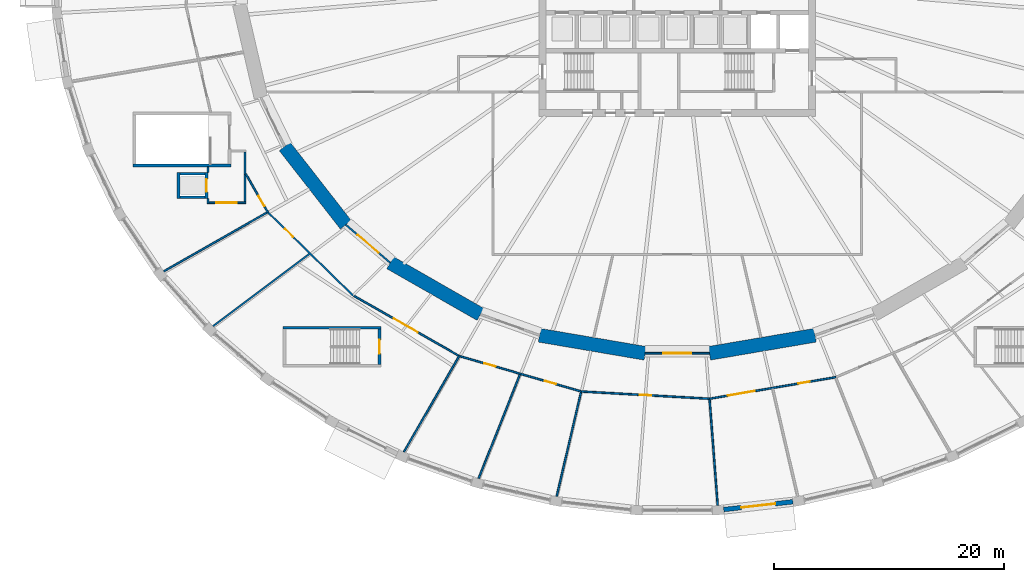
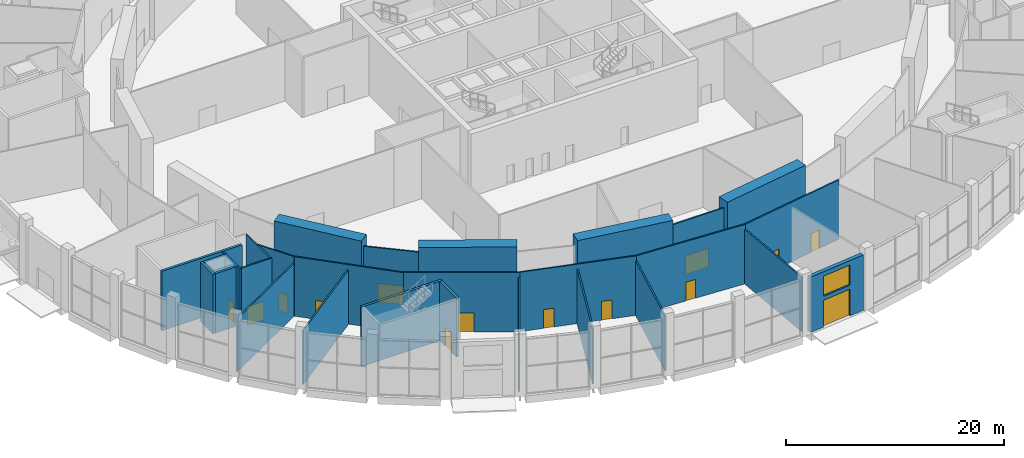
# One storey, part 19 of 33: 30 walls, 14 doors, 1 window, 15 openings.
"""IFC4 building model written with IfcOpenShell, lengths in metres."""

from ifc_helpers import new_model, si_unit, direction, frame, frame_2d, origin, place, context, subcontext, project, spatial, polyline, rectangle, outline, extrude, material, layer, layer_set, type_object, element, fill, save


model = new_model("IFC4")

# Units and contexts
model_context = context("Model", 3, precision=1e-05, world=origin(), true_north=direction((0.0, 1.0)))
body_context = subcontext(model_context, "Body", "Model", "MODEL_VIEW")
ifc_project = project(units=[si_unit("LENGTHUNIT", "METRE"), si_unit("AREAUNIT", "SQUARE_METRE"), si_unit("VOLUMEUNIT", "CUBIC_METRE"), si_unit("PLANEANGLEUNIT", "RADIAN"), si_unit("MASSUNIT", "GRAM", prefix="KILO")], contexts=[model_context])

# Site, building, storey
site_placement = place(None, origin())
site = spatial("IfcSite", under=ifc_project, at=site_placement, CompositionType="ELEMENT")
building_placement = place(site_placement, origin())
building = spatial("IfcBuilding", under=site, at=building_placement, Name="Halqa Exchange Tower", CompositionType="ELEMENT")
storey_placement = place(building_placement, origin())
storey = spatial("IfcBuildingStorey", under=building, at=storey_placement, Name="L00", CompositionType="ELEMENT", Elevation=0.0)

# Walls
ifc_material_1 = material(Name="Fire-rated gypsum board")
ifc_layer_1 = layer(ifc_material_1, 0.14990234375)
ifc_layer_set_1 = layer_set([ifc_layer_1], Name="Fire-rated gypsum board")
wall_type_1 = type_object("IfcWallType", Name="Fire partition EI 60 150", PredefinedType="PARTITIONING", material=ifc_layer_set_1)
wall_1_placement = place(storey_placement, frame((-44.6015625, -25.455810546875, 0.0), z_axis=(0.0, 0.0, 1.0), x_axis=(0.868872232998, 0.495036405455, 0.0)))
element("IfcWall", 1, at=wall_1_placement, inside=storey, type_object=wall_type_1, Name="L00-PWL-002", PredefinedType="PARTITIONING", context=body_context, shape_type="SweptSolid", body=[
    extrude(outline(polyline([(0.010986328125, -0.074951171875), (10.47265625, -0.074951171875), (10.47265625, 0.074951171875), (-0.010986328125, 0.074951171875), (0.010986328125, -0.074951171875)])), origin(), (0.0, 0.0, 1.0), 5.89697265625),
])
wall_2_placement = place(storey_placement, frame((-40.75, -19.574951171875, 0.0), z_axis=(0.0, 0.0, 1.0), x_axis=(0.0, 1.0, 0.0)))
element("IfcWall", 2, at=wall_2_placement, inside=storey, type_object=wall_type_1, Name="L00-PWL-007", PredefinedType="PARTITIONING", context=body_context, shape_type="SweptSolid", body=[
    extrude(rectangle(XDim=0.425048828125, YDim=0.14990234375, at=frame_2d((0.21240234375, 0.0))), origin(), (0.0, 0.0, 1.0), 6.64990234375),
])
wall_3_placement = place(storey_placement, frame((-40.75, -16.85009765625, 0.0), z_axis=(0.0, 0.0, 1.0), x_axis=(0.0, 1.0, 0.0)))
element("IfcWall", 3, at=wall_3_placement, inside=storey, type_object=wall_type_1, Name="L00-PWL-008", PredefinedType="PARTITIONING", context=body_context, shape_type="SweptSolid", body=[
    extrude(rectangle(XDim=0.47607421875, YDim=0.14990234375, at=frame_2d((0.238037109375, 0.0))), origin(), (0.0, 0.0, 1.0), 6.64990234375),
])

# Wall, opening, door
wall_4_placement = place(storey_placement, frame((-37.47509765625, -19.5, 0.0), z_axis=(0.0, 0.0, 1.0), x_axis=(-1.0, 0.0, 0.0)))
wall_4 = element("IfcWall", 4, at=wall_4_placement, inside=storey, type_object=wall_type_1, Name="L00-PWL-015", PredefinedType="PARTITIONING", context=body_context, shape_type="SweptSolid", body=[
    extrude(rectangle(XDim=3.199951171875, YDim=0.14990234375, at=frame_2d((1.60009765625, 0.0))), origin(), (0.0, 0.0, 1.0), 6.64990234375),
])
opening_1_placement = place(wall_4_placement, frame((0.77490234375, 0.0, 0.0)))
opening_1 = element("IfcOpeningElement", 5, at=opening_1_placement, cuts=wall_4, Name="Opening L00-66", PredefinedType="OPENING", context=body_context, shape_type="SweptSolid", body=[
    extrude(rectangle(XDim=1.800048828125, YDim=2.10009765625, at=frame_2d((0.89990234375, 1.050048828125))), frame((0.0, 0.0869140625, 0.0), z_axis=(0.0, -1.0, 0.0), x_axis=(1.0, 0.0, 0.0)), (0.0, 0.0, 1.0), 0.173828125),
])
ifc_material_2 = material(Name="Steel fire door leaf", Category="steel")
door_type_1 = type_object("IfcDoorType", Name="Fire door FD30S double 1800 x 2100", OperationType="DOUBLE_DOOR_SINGLE_SWING", PredefinedType="DOOR", material=ifc_material_2)
door_1_placement = place(opening_1_placement, origin())
door_1 = element("IfcDoor", 6, at=door_1_placement, inside=storey, type_object=door_type_1, Name="L00-IDR-066", OperationType="DOUBLE_DOOR_SINGLE_SWING", OverallHeight=2.10009765625, OverallWidth=1.800048828125, PredefinedType="DOOR", context=body_context, shape_type="SweptSolid", body=[
    extrude(rectangle(XDim=1.800048828125, YDim=2.10009765625, at=frame_2d((0.89990234375, 1.050048828125))), frame((0.0, 0.02490234375, 0.0), z_axis=(0.0, -1.0, 0.0), x_axis=(1.0, 0.0, 0.0)), (0.0, 0.0, 1.0), 0.050048828125),
])
fill(opening_1, door_1)

# Wall
wall_5_placement = place(storey_placement, frame((-37.550048828125, -19.426025390625, 0.0), z_axis=(0.0, 0.0, 1.0), x_axis=(0.0, 1.0, 0.0)))
element("IfcWall", 7, at=wall_5_placement, inside=storey, type_object=wall_type_1, Name="L00-PWL-016", PredefinedType="PARTITIONING", context=body_context, shape_type="SweptSolid", body=[
    extrude(rectangle(XDim=4.35107421875, YDim=0.14990234375, at=frame_2d((2.175537109375, 0.0))), origin(), (0.0, 0.0, 1.0), 6.64990234375),
])

# Wall, opening, door
wall_6_placement = place(storey_placement, frame((-35.530517578125, -20.37841796875, 0.0), z_axis=(0.0, 0.0, 1.0), x_axis=(-0.498840465352, 0.866693827212, 0.0)))
wall_6 = element("IfcWall", 8, at=wall_6_placement, inside=storey, type_object=wall_type_1, Name="L00-PWL-022", PredefinedType="PARTITIONING", context=body_context, shape_type="SweptSolid", body=[
    extrude(rectangle(XDim=3.899169921875, YDim=0.14990234375, at=frame_2d((1.94970703125, 0.0))), origin(), (0.0, 0.0, 1.0), 6.64990234375),
])
opening_2_placement = place(wall_6_placement, frame((0.678955078125, 0.0, 0.0)))
opening_2 = element("IfcOpeningElement", 9, at=opening_2_placement, cuts=wall_6, Name="Opening L00-50", PredefinedType="OPENING", context=body_context, shape_type="SweptSolid", body=[
    extrude(rectangle(XDim=1.0, YDim=2.10009765625, at=frame_2d((0.5, 1.050048828125))), frame((0.0, 0.0869140625, 0.0), z_axis=(0.0, -1.0, 0.0), x_axis=(1.0, 0.0, 0.0)), (0.0, 0.0, 1.0), 0.173828125),
])
door_type_2 = type_object("IfcDoorType", Name="Fire door FD30S 1000 x 2100", OperationType="SINGLE_SWING_LEFT", PredefinedType="DOOR", material=ifc_material_2)
door_2_placement = place(opening_2_placement, frame((1.0, 0.0, 0.0), z_axis=(0.0, 0.0, 1.0), x_axis=(-1.0, 0.0, 0.0)))
door_2 = element("IfcDoor", 10, at=door_2_placement, inside=storey, type_object=door_type_2, Name="L00-IDR-050", OperationType="SINGLE_SWING_LEFT", OverallHeight=2.10009765625, OverallWidth=1.0, PredefinedType="DOOR", context=body_context, shape_type="SweptSolid", body=[
    extrude(rectangle(XDim=1.0, YDim=2.10009765625, at=frame_2d((0.5, 1.050048828125))), frame((0.0, 0.02490234375, 0.0), z_axis=(0.0, -1.0, 0.0), x_axis=(1.0, 0.0, 0.0)), (0.0, 0.0, 1.0), 0.050048828125),
])
fill(opening_2, door_2)

wall_7_placement = place(storey_placement, frame((-35.51416015625, -20.364501953125, 0.0), z_axis=(0.0, 0.0, 1.0), x_axis=(0.714835312925, -0.699292839514, 0.0)))
wall_7 = element("IfcWall", 11, at=wall_7_placement, inside=storey, type_object=wall_type_1, Name="L00-PWL-023", PredefinedType="PARTITIONING", context=body_context, shape_type="SweptSolid", body=[
    extrude(rectangle(XDim=10.304443359375, YDim=0.14990234375, at=frame_2d((5.15234375, 0.0))), origin(), (0.0, 0.0, 1.0), 6.64990234375),
])
opening_3_placement = place(wall_7_placement, frame((2.00390625, 0.0, 0.0)))
opening_3 = element("IfcOpeningElement", 12, at=opening_3_placement, cuts=wall_7, Name="Opening L00-51", PredefinedType="OPENING", context=body_context, shape_type="SweptSolid", body=[
    extrude(rectangle(XDim=1.0, YDim=2.10009765625, at=frame_2d((0.5, 1.050048828125))), frame((0.0, 0.0869140625, 0.0), z_axis=(0.0, -1.0, 0.0), x_axis=(1.0, 0.0, 0.0)), (0.0, 0.0, 1.0), 0.173828125),
])
door_3_placement = place(opening_3_placement, frame((1.0, 0.0, 0.0), z_axis=(0.0, 0.0, 1.0), x_axis=(-1.0, 0.0, 0.0)))
door_3 = element("IfcDoor", 13, at=door_3_placement, inside=storey, type_object=door_type_2, Name="L00-IDR-051", OperationType="SINGLE_SWING_LEFT", OverallHeight=2.10009765625, OverallWidth=1.0, PredefinedType="DOOR", context=body_context, shape_type="SweptSolid", body=[
    extrude(rectangle(XDim=1.0, YDim=2.10009765625, at=frame_2d((0.5, 1.050048828125))), frame((0.0, 0.02490234375, 0.0), z_axis=(0.0, -1.0, 0.0), x_axis=(1.0, 0.0, 0.0)), (0.0, 0.0, 1.0), 0.050048828125),
])
fill(opening_3, door_3)

# Wall
wall_8_placement = place(storey_placement, frame((-31.9599609375, -23.945068359375, 0.0), z_axis=(0.0, 0.0, 1.0), x_axis=(-0.800117504973, -0.599843294732, 0.0)))
element("IfcWall", 14, at=wall_8_placement, inside=storey, type_object=wall_type_1, Name="L00-PWL-027", PredefinedType="PARTITIONING", context=body_context, shape_type="SweptSolid", body=[
    extrude(outline(polyline([(0.011474609375, -0.074951171875), (10.481689453125, -0.074951171875), (10.458740234375, 0.074951171875), (-0.011474609375, 0.074951171875), (0.011474609375, -0.074951171875)])), origin(), (0.0, 0.0, 1.0), 6.050048828125),
])

# Wall, opening, door
wall_9_placement = place(storey_placement, frame((-24.931884765625, -24.70849609375, 0.0), z_axis=(0.0, 0.0, 1.0), x_axis=(-0.760084552743, 0.649824185978, 0.0)))
wall_9 = element("IfcWall", 15, at=wall_9_placement, inside=storey, type_object=wall_type_1, Name="L00-PWL-029", PredefinedType="PARTITIONING", context=body_context, shape_type="SweptSolid", body=[
    extrude(outline(polyline([(0.01416015625, -0.074951171875), (5.0595703125, -0.074951171875), (5.09033203125, 0.074951171875), (-0.01416015625, 0.074951171875), (0.01416015625, -0.074951171875)])), origin(), (0.0, 0.0, 1.0), 6.10009765625),
])
opening_4_placement = place(wall_9_placement, frame((1.336669921875, 0.0, 0.0)))
opening_4 = element("IfcOpeningElement", 16, at=opening_4_placement, cuts=wall_9, Name="Opening L00-29", PredefinedType="OPENING", context=body_context, shape_type="SweptSolid", body=[
    extrude(rectangle(XDim=2.39990234375, YDim=2.10009765625, at=frame_2d((1.199951171875, 1.050048828125))), frame((0.0, 0.0869140625, 0.0), z_axis=(0.0, -1.0, 0.0), x_axis=(1.0, 0.0, 0.0)), (0.0, 0.0, 1.0), 0.173828125),
])
door_type_3 = type_object("IfcDoorType", Name="Fire door FD60S double 2400 x 2100", OperationType="DOUBLE_DOOR_SINGLE_SWING", PredefinedType="DOOR", material=ifc_material_2)
door_4_placement = place(opening_4_placement, frame((2.39990234375, 0.0, 0.0), z_axis=(0.0, 0.0, 1.0), x_axis=(-1.0, 0.0, 0.0)))
door_4 = element("IfcDoor", 17, at=door_4_placement, inside=storey, type_object=door_type_3, Name="L00-IDR-029", OperationType="DOUBLE_DOOR_SINGLE_SWING", OverallHeight=2.10009765625, OverallWidth=2.39990234375, PredefinedType="DOOR", context=body_context, shape_type="SweptSolid", body=[
    extrude(rectangle(XDim=2.39990234375, YDim=2.10009765625, at=frame_2d((1.199951171875, 1.050048828125))), frame((0.0, 0.02490234375, 0.0), z_axis=(0.0, -1.0, 0.0), x_axis=(1.0, 0.0, 0.0)), (0.0, 0.0, 1.0), 0.050048828125),
])
fill(opening_4, door_4)

# Wall
wall_10_placement = place(storey_placement, frame((-23.747802734375, -41.14892578125, 0.0), z_axis=(0.0, 0.0, 1.0), x_axis=(0.499487181866, 0.866321277097, 0.0)))
element("IfcWall", 18, at=wall_10_placement, inside=storey, type_object=wall_type_1, Name="L00-PWL-031", PredefinedType="PARTITIONING", context=body_context, shape_type="SweptSolid", body=[
    extrude(outline(polyline([(0.00927734375, -0.074951171875), (9.702880859375, -0.074951171875), (9.702880859375, 0.074951171875), (-0.00927734375, 0.074951171875), (0.00927734375, -0.074951171875)])), origin(), (0.0, 0.0, 1.0), 6.050048828125),
])

# Wall, opening, door
wall_11_placement = place(storey_placement, frame((-18.87060546875, -32.849609375, 0.0), z_axis=(0.0, 0.0, 1.0), x_axis=(-0.867964173254, 0.496626815575, 0.0)))
wall_11 = element("IfcWall", 19, at=wall_11_placement, inside=storey, type_object=wall_type_1, Name="L00-PWL-038", PredefinedType="PARTITIONING", context=body_context, shape_type="SweptSolid", body=[
    extrude(rectangle(XDim=10.668701171875, YDim=0.14990234375, at=frame_2d((5.33447265625, 0.0))), origin(), (0.0, 0.0, 1.0), 6.64990234375),
])
opening_5_placement = place(wall_11_placement, frame((4.225830078125, 0.0, 0.0)))
opening_5 = element("IfcOpeningElement", 20, at=opening_5_placement, cuts=wall_11, Name="Opening L00-52", PredefinedType="OPENING", context=body_context, shape_type="SweptSolid", body=[
    extrude(rectangle(XDim=2.39990234375, YDim=2.10009765625, at=frame_2d((1.199951171875, 1.050048828125))), frame((0.0, 0.0869140625, 0.0), z_axis=(0.0, -1.0, 0.0), x_axis=(1.0, 0.0, 0.0)), (0.0, 0.0, 1.0), 0.173828125),
])
door_5_placement = place(opening_5_placement, frame((2.39990234375, 0.0, 0.0), z_axis=(0.0, 0.0, 1.0), x_axis=(-1.0, 0.0, 0.0)))
door_5 = element("IfcDoor", 21, at=door_5_placement, inside=storey, type_object=door_type_3, Name="L00-IDR-052", OperationType="DOUBLE_DOOR_SINGLE_SWING", OverallHeight=2.10009765625, OverallWidth=2.39990234375, PredefinedType="DOOR", context=body_context, shape_type="SweptSolid", body=[
    extrude(rectangle(XDim=2.39990234375, YDim=2.10009765625, at=frame_2d((1.199951171875, 1.050048828125))), frame((0.0, 0.02490234375, 0.0), z_axis=(0.0, -1.0, 0.0), x_axis=(1.0, 0.0, 0.0)), (0.0, 0.0, 1.0), 0.050048828125),
])
fill(opening_5, door_5)

# Wall, openings, doors
wall_12_placement = place(storey_placement, frame((-18.865966796875, -32.83154296875, 0.0), z_axis=(0.0, 0.0, 1.0), x_axis=(0.960211143752, -0.279275060495, 0.0)))
wall_12 = element("IfcWall", 22, at=wall_12_placement, inside=storey, type_object=wall_type_1, Name="L00-PWL-039", PredefinedType="PARTITIONING", context=body_context, shape_type="SweptSolid", body=[
    extrude(rectangle(XDim=10.967529296875, YDim=0.14990234375, at=frame_2d((5.48388671875, 0.0))), origin(), (0.0, 0.0, 1.0), 6.64990234375),
])
opening_6_placement = place(wall_12_placement, frame((2.197509765625, 0.0, 0.0)))
opening_6 = element("IfcOpeningElement", 23, at=opening_6_placement, cuts=wall_12, Name="Opening L00-53", PredefinedType="OPENING", context=body_context, shape_type="SweptSolid", body=[
    extrude(rectangle(XDim=1.0, YDim=2.10009765625, at=frame_2d((0.5, 1.050048828125))), frame((0.0, 0.0869140625, 0.0), z_axis=(0.0, -1.0, 0.0), x_axis=(1.0, 0.0, 0.0)), (0.0, 0.0, 1.0), 0.173828125),
])
opening_7_placement = place(wall_12_placement, frame((7.681640625, 0.0, 0.0)))
opening_7 = element("IfcOpeningElement", 24, at=opening_7_placement, cuts=wall_12, Name="Opening L00-54", PredefinedType="OPENING", context=body_context, shape_type="SweptSolid", body=[
    extrude(rectangle(XDim=1.0, YDim=2.10009765625, at=frame_2d((0.5, 1.050048828125))), frame((0.0, 0.0869140625, 0.0), z_axis=(0.0, -1.0, 0.0), x_axis=(1.0, 0.0, 0.0)), (0.0, 0.0, 1.0), 0.173828125),
])
door_6_placement = place(opening_6_placement, frame((1.0, 0.0, 0.0), z_axis=(0.0, 0.0, 1.0), x_axis=(-1.0, 0.0, 0.0)))
door_6 = element("IfcDoor", 25, at=door_6_placement, inside=storey, type_object=door_type_2, Name="L00-IDR-053", OperationType="SINGLE_SWING_LEFT", OverallHeight=2.10009765625, OverallWidth=1.0, PredefinedType="DOOR", context=body_context, shape_type="SweptSolid", body=[
    extrude(rectangle(XDim=1.0, YDim=2.10009765625, at=frame_2d((0.5, 1.050048828125))), frame((0.0, 0.02490234375, 0.0), z_axis=(0.0, -1.0, 0.0), x_axis=(1.0, 0.0, 0.0)), (0.0, 0.0, 1.0), 0.050048828125),
])
fill(opening_6, door_6)
door_7_placement = place(opening_7_placement, frame((1.0, 0.0, 0.0), z_axis=(0.0, 0.0, 1.0), x_axis=(-1.0, 0.0, 0.0)))
door_7 = element("IfcDoor", 26, at=door_7_placement, inside=storey, type_object=door_type_2, Name="L00-IDR-054", OperationType="SINGLE_SWING_RIGHT", OverallHeight=2.10009765625, OverallWidth=1.0, PredefinedType="DOOR", context=body_context, shape_type="SweptSolid", body=[
    extrude(rectangle(XDim=1.0, YDim=2.10009765625, at=frame_2d((0.5, 1.050048828125))), frame((0.0, 0.02490234375, 0.0), z_axis=(0.0, -1.0, 0.0), x_axis=(1.0, 0.0, 0.0)), (0.0, 0.0, 1.0), 0.050048828125),
])
fill(opening_7, door_7)

# Walls
wall_13_placement = place(storey_placement, frame((-13.668212890625, -34.420654296875, 0.0), z_axis=(0.0, 0.0, 1.0), x_axis=(-0.369116523782, -0.929383124374, 0.0)))
element("IfcWall", 27, at=wall_13_placement, inside=storey, type_object=wall_type_1, Name="L00-PWL-047", PredefinedType="PARTITIONING", context=body_context, shape_type="SweptSolid", body=[
    extrude(outline(polyline([(0.007080078125, -0.074951171875), (9.729248046875, -0.074951171875), (9.715087890625, 0.074951171875), (-0.007080078125, 0.074951171875), (0.007080078125, -0.074951171875)])), origin(), (0.0, 0.0, 1.0), 6.10009765625),
])
wall_14_placement = place(storey_placement, frame((-8.366943359375, -35.962890625, 0.0), z_axis=(0.0, 0.0, 1.0), x_axis=(-0.226936502248, -0.973909556349, 0.0)))
element("IfcWall", 28, at=wall_14_placement, inside=storey, type_object=wall_type_1, Name="L00-PWL-050", PredefinedType="PARTITIONING", context=body_context, shape_type="SweptSolid", body=[
    extrude(outline(polyline([(0.0, -0.074951171875), (9.29931640625, -0.074951171875), (9.29052734375, 0.074951171875), (0.0, 0.074951171875), (0.0, -0.074951171875)])), origin(), (0.0, 0.0, 1.0), 6.10009765625),
])

# Wall, opening, door
wall_15_placement = place(storey_placement, frame((2.7880859375, -32.570068359375, 0.0), z_axis=(0.0, 0.0, 1.0), x_axis=(-1.0, 0.0, 0.0)))
wall_15 = element("IfcWall", 29, at=wall_15_placement, inside=storey, type_object=wall_type_1, Name="L00-PWL-059", PredefinedType="PARTITIONING", context=body_context, shape_type="SweptSolid", body=[
    extrude(outline(polyline([(0.0126953125, -0.074951171875), (5.5634765625, -0.074951171875), (5.5888671875, 0.074951171875), (-0.0126953125, 0.074951171875), (0.0126953125, -0.074951171875)])), origin(), (0.0, 0.0, 1.0), 6.10009765625),
])
opening_8_placement = place(wall_15_placement, frame((1.587890625, 0.0, 0.0)))
opening_8 = element("IfcOpeningElement", 30, at=opening_8_placement, cuts=wall_15, Name="Opening L00-34", PredefinedType="OPENING", context=body_context, shape_type="SweptSolid", body=[
    extrude(rectangle(XDim=2.39990234375, YDim=2.10009765625, at=frame_2d((1.199951171875, 1.050048828125))), frame((0.0, 0.0869140625, 0.0), z_axis=(0.0, -1.0, 0.0), x_axis=(1.0, 0.0, 0.0)), (0.0, 0.0, 1.0), 0.173828125),
])
door_8_placement = place(opening_8_placement, frame((2.39990234375, 0.0, 0.0), z_axis=(0.0, 0.0, 1.0), x_axis=(-1.0, 0.0, 0.0)))
door_8 = element("IfcDoor", 31, at=door_8_placement, inside=storey, type_object=door_type_3, Name="L00-IDR-034", OperationType="DOUBLE_DOOR_SINGLE_SWING", OverallHeight=2.10009765625, OverallWidth=2.39990234375, PredefinedType="DOOR", context=body_context, shape_type="SweptSolid", body=[
    extrude(rectangle(XDim=2.39990234375, YDim=2.10009765625, at=frame_2d((1.199951171875, 1.050048828125))), frame((0.0, 0.02490234375, 0.0), z_axis=(0.0, -1.0, 0.0), x_axis=(1.0, 0.0, 0.0)), (0.0, 0.0, 1.0), 0.050048828125),
])
fill(opening_8, door_8)

wall_16_placement = place(storey_placement, frame((2.81591796875, -36.52099609375, 0.0), z_axis=(0.0, 0.0, 1.0), x_axis=(-0.998407170401, 0.056419164225, 0.0)))
wall_16 = element("IfcWall", 32, at=wall_16_placement, inside=storey, type_object=wall_type_1, Name="L00-PWL-060", PredefinedType="PARTITIONING", context=body_context, shape_type="SweptSolid", body=[
    extrude(rectangle(XDim=11.168701171875, YDim=0.14990234375, at=frame_2d((5.58447265625, 0.0))), origin(), (0.0, 0.0, 1.0), 6.64990234375),
])
opening_9_placement = place(wall_16_placement, frame((5.099853515625, 0.0, 0.0)))
opening_9 = element("IfcOpeningElement", 33, at=opening_9_placement, cuts=wall_16, Name="Opening L00-55", PredefinedType="OPENING", context=body_context, shape_type="SweptSolid", body=[
    extrude(rectangle(XDim=1.0, YDim=2.10009765625, at=frame_2d((0.5, 1.050048828125))), frame((0.0, 0.0869140625, 0.0), z_axis=(0.0, -1.0, 0.0), x_axis=(1.0, 0.0, 0.0)), (0.0, 0.0, 1.0), 0.173828125),
])
door_9_placement = place(opening_9_placement, origin())
door_9 = element("IfcDoor", 34, at=door_9_placement, inside=storey, type_object=door_type_2, Name="L00-IDR-055", OperationType="SINGLE_SWING_LEFT", OverallHeight=2.10009765625, OverallWidth=1.0, PredefinedType="DOOR", context=body_context, shape_type="SweptSolid", body=[
    extrude(rectangle(XDim=1.0, YDim=2.10009765625, at=frame_2d((0.5, 1.050048828125))), frame((0.0, 0.02490234375, 0.0), z_axis=(0.0, -1.0, 0.0), x_axis=(1.0, 0.0, 0.0)), (0.0, 0.0, 1.0), 0.050048828125),
])
fill(opening_9, door_9)

# Wall
wall_17_placement = place(storey_placement, frame((2.8056640625, -36.5947265625, 0.0), z_axis=(0.0, 0.0, 1.0), x_axis=(0.076140518104, -0.997097097329, 0.0)))
element("IfcWall", 35, at=wall_17_placement, inside=storey, type_object=wall_type_1, Name="L00-PWL-061", PredefinedType="PARTITIONING", context=body_context, shape_type="SweptSolid", body=[
    extrude(outline(polyline([(0.0, -0.074951171875), (9.233154296875, -0.074951171875), (9.236083984375, 0.074951171875), (0.0, 0.074951171875), (0.0, -0.074951171875)])), origin(), (0.0, 0.0, 1.0), 6.10009765625),
])

# Wall, openings, doors
wall_18_placement = place(storey_placement, frame((2.814697265625, -36.517578125, 0.0), z_axis=(0.0, 0.0, 1.0), x_axis=(0.9857548052, 0.168188774967, 0.0)))
wall_18 = element("IfcWall", 36, at=wall_18_placement, inside=storey, type_object=wall_type_1, Name="L00-PWL-062", PredefinedType="PARTITIONING", context=body_context, shape_type="SweptSolid", body=[
    extrude(rectangle(XDim=11.1220703125, YDim=0.14990234375, at=frame_2d((5.56103515625, 0.0))), origin(), (0.0, 0.0, 1.0), 6.64990234375),
])
opening_10_placement = place(wall_18_placement, frame((1.580078125, 0.0, 0.0)))
opening_10 = element("IfcOpeningElement", 37, at=opening_10_placement, cuts=wall_18, Name="Opening L00-56", PredefinedType="OPENING", context=body_context, shape_type="SweptSolid", body=[
    extrude(rectangle(XDim=2.39990234375, YDim=2.10009765625, at=frame_2d((1.199951171875, 1.050048828125))), frame((0.0, 0.0869140625, 0.0), z_axis=(0.0, -1.0, 0.0), x_axis=(1.0, 0.0, 0.0)), (0.0, 0.0, 1.0), 0.173828125),
])
opening_11_placement = place(wall_18_placement, frame((7.809326171875, 0.0, 0.0)))
opening_11 = element("IfcOpeningElement", 38, at=opening_11_placement, cuts=wall_18, Name="Opening L00-57", PredefinedType="OPENING", context=body_context, shape_type="SweptSolid", body=[
    extrude(rectangle(XDim=1.0, YDim=2.10009765625, at=frame_2d((0.5, 1.050048828125))), frame((0.0, 0.0869140625, 0.0), z_axis=(0.0, -1.0, 0.0), x_axis=(1.0, 0.0, 0.0)), (0.0, 0.0, 1.0), 0.173828125),
])
door_10_placement = place(opening_11_placement, frame((1.0, 0.0, 0.0), z_axis=(0.0, 0.0, 1.0), x_axis=(-1.0, 0.0, 0.0)))
door_10 = element("IfcDoor", 39, at=door_10_placement, inside=storey, type_object=door_type_2, Name="L00-IDR-057", OperationType="SINGLE_SWING_RIGHT", OverallHeight=2.10009765625, OverallWidth=1.0, PredefinedType="DOOR", context=body_context, shape_type="SweptSolid", body=[
    extrude(rectangle(XDim=1.0, YDim=2.10009765625, at=frame_2d((0.5, 1.050048828125))), frame((0.0, 0.02490234375, 0.0), z_axis=(0.0, -1.0, 0.0), x_axis=(1.0, 0.0, 0.0)), (0.0, 0.0, 1.0), 0.050048828125),
])
fill(opening_11, door_10)
door_11_placement = place(opening_10_placement, frame((2.39990234375, 0.0, 0.0), z_axis=(0.0, 0.0, 1.0), x_axis=(-1.0, 0.0, 0.0)))
door_11 = element("IfcDoor", 40, at=door_11_placement, inside=storey, type_object=door_type_3, Name="L00-IDR-056", OperationType="DOUBLE_DOOR_SINGLE_SWING", OverallHeight=2.10009765625, OverallWidth=2.39990234375, PredefinedType="DOOR", context=body_context, shape_type="SweptSolid", body=[
    extrude(rectangle(XDim=2.39990234375, YDim=2.10009765625, at=frame_2d((1.199951171875, 1.050048828125))), frame((0.0, 0.02490234375, 0.0), z_axis=(0.0, -1.0, 0.0), x_axis=(1.0, 0.0, 0.0)), (0.0, 0.0, 1.0), 0.050048828125),
])
fill(opening_10, door_11)

# Wall
ifc_material_3 = material(Name="Gypsum board")
ifc_layer_2 = layer(ifc_material_3, 0.25)
ifc_layer_set_2 = layer_set([ifc_layer_2], Name="Gypsum board")
wall_type_2 = type_object("IfcWallType", Name="Penthouse riser wall 250 gypsum", PredefinedType="PARTITIONING", material=ifc_layer_set_2)
wall_19_placement = place(storey_placement, frame((-43.324951171875, -19.14990234375, 0.0), z_axis=(0.0, 0.0, 1.0), x_axis=(0.0, 1.0, 0.0)))
element("IfcWall", 41, at=wall_19_placement, inside=storey, type_object=wall_type_2, Name="Station lift AL4 wall west", PredefinedType="PARTITIONING", context=body_context, shape_type="SweptSolid", body=[
    extrude(rectangle(XDim=2.2998046875, YDim=0.25, at=frame_2d((1.14990234375, 0.0))), origin(), (0.0, 0.0, 1.0), 6.64990234375),
])

# Wall, opening, door
wall_20_placement = place(storey_placement, frame((-40.875, -19.14990234375, 0.0), z_axis=(0.0, 0.0, 1.0), x_axis=(0.0, 1.0, 0.0)))
wall_20 = element("IfcWall", 42, at=wall_20_placement, inside=storey, type_object=wall_type_2, Name="Station lift AL4 wall east", PredefinedType="PARTITIONING", context=body_context, shape_type="SweptSolid", body=[
    extrude(rectangle(XDim=2.2998046875, YDim=0.25, at=frame_2d((1.14990234375, 0.0))), origin(), (0.0, 0.0, 1.0), 6.64990234375),
])
opening_12_placement = place(wall_20_placement, frame((0.60009765625, 0.0, 0.0)))
opening_12 = element("IfcOpeningElement", 43, at=opening_12_placement, cuts=wall_20, Name="Opening LD-AL4-L00", PredefinedType="OPENING", context=body_context, shape_type="SweptSolid", body=[
    extrude(rectangle(XDim=1.10009765625, YDim=2.10009765625, at=frame_2d((0.550048828125, 1.050048828125))), frame((0.0, 0.136962890625, 0.0), z_axis=(0.0, -1.0, 0.0), x_axis=(1.0, 0.0, 0.0)), (0.0, 0.0, 1.0), 0.27392578125),
])
ifc_material_4 = material(Name="Stainless steel", Category="steel")
door_type_4 = type_object("IfcDoorType", Name="Lift landing door 1100 x 2100", OperationType="SLIDING_TO_LEFT", PredefinedType="DOOR", material=ifc_material_4)
door_12_placement = place(opening_12_placement, origin())
door_12 = element("IfcDoor", 44, at=door_12_placement, inside=storey, type_object=door_type_4, Name="Lift landing door AL4", OperationType="SLIDING_TO_LEFT", OverallHeight=2.10009765625, OverallWidth=1.10009765625, PredefinedType="DOOR", context=body_context, shape_type="SweptSolid", body=[
    extrude(rectangle(XDim=1.10009765625, YDim=2.10009765625, at=frame_2d((0.550048828125, 1.050048828125))), frame((0.0, 0.02490234375, 0.0), z_axis=(0.0, -1.0, 0.0), x_axis=(1.0, 0.0, 0.0)), (0.0, 0.0, 1.0), 0.050048828125),
])
fill(opening_12, door_12)

# Walls
for number, where, z_axis, x_axis, name in (
    (45, (-43.199951171875, -16.97509765625, 0.0), (0.0, 0.0, 1.0), (1.0, 0.0, 0.0), "Station lift AL4 wall north"),
    (46, (-43.199951171875, -19.02490234375, 0.0), (0.0, 0.0, 1.0), (1.0, 0.0, 0.0), "Station lift AL4 wall south"),
):
    element("IfcWall", number, at=place(storey_placement, frame(where, z_axis=z_axis, x_axis=x_axis)), inside=storey, type_object=wall_type_2, Name=name, PredefinedType="PARTITIONING", context=body_context, shape_type="SweptSolid", body=[
        extrude(rectangle(XDim=2.199951171875, YDim=0.25, at=frame_2d((1.10009765625, 0.0))), origin(), (0.0, 0.0, 1.0), 6.64990234375),
    ])
ifc_material_5 = material(Name="Concrete C80/95", Category="concrete")
ifc_layer_3 = layer(ifc_material_5, 1.199951171875)
ifc_layer_set_3 = layer_set([ifc_layer_3], Name="Concrete C80/95")
wall_type_3 = type_object("IfcWallType", Name="RC ring pier 1200 C80/95", PredefinedType="SHEAR", material=ifc_layer_set_3)
wall_21_placement = place(storey_placement, frame((-34.09716796875, -14.60498046875, 0.0), z_axis=(0.0, 0.0, 1.0), x_axis=(0.614825322247, -0.788663314174, 0.0)))
element("IfcWall", 47, at=wall_21_placement, inside=storey, type_object=wall_type_3, Name="Ring pier 10", PredefinedType="SHEAR", context=body_context, shape_type="SweptSolid", body=[
    extrude(rectangle(XDim=8.631591796875, YDim=1.199951171875, at=frame_2d((4.31591796875, 0.0))), origin(), (0.0, 0.0, 1.0), 7.0),
])
wall_22_placement = place(storey_placement, frame((-24.931396484375, -24.705810546875, 0.0), z_axis=(0.0, 0.0, 1.0), x_axis=(0.867760656864, -0.496982336103, 0.0)))
element("IfcWall", 48, at=wall_22_placement, inside=storey, type_object=wall_type_3, Name="Ring pier 11", PredefinedType="SHEAR", context=body_context, shape_type="SweptSolid", body=[
    extrude(rectangle(XDim=9.037841796875, YDim=1.199951171875, at=frame_2d((4.51904296875, 0.0))), origin(), (0.0, 0.0, 1.0), 7.0),
])
for number, where, z_axis, x_axis, name in (
    (49, (-11.96728515625, -31.00927734375, 0.0), (0.0, 0.0, 1.0), (0.985776286846, -0.168062822456, 0.0), "Ring pier 12"),
    (50, (2.7880859375, -32.57421875, 0.0), (0.0, 0.0, 1.0), (0.985776286846, 0.168062822456, 0.0), "Ring pier 13"),
):
    element("IfcWall", number, at=place(storey_placement, frame(where, z_axis=z_axis, x_axis=x_axis)), inside=storey, type_object=wall_type_3, Name=name, PredefinedType="SHEAR", context=body_context, shape_type="SweptSolid", body=[
        extrude(rectangle(XDim=9.3115234375, YDim=1.199951171875, at=frame_2d((4.65576171875, 0.0))), origin(), (0.0, 0.0, 1.0), 7.0),
    ])
ifc_material_6 = material(Name="Concrete C30/37", Category="concrete")
ifc_layer_4 = layer(ifc_material_6, 0.25)
ifc_layer_set_4 = layer_set([ifc_layer_4], Name="Concrete C30/37")
wall_type_4 = type_object("IfcWallType", Name="RC stair wall 250 C30/37", PredefinedType="SHEAR", material=ifc_layer_set_4)
for number, where, z_axis, x_axis, name in (
    (51, (-47.25, -16.25, 0.0), (0.0, 0.0, 1.0), (1.0, 0.0, 0.0), "Stair SS4 wall south"),
    (52, (-34.25, -30.35009765625, 0.0), (0.0, 0.0, 1.0), (1.0, 0.0, 0.0), "Stair PS4 wall north"),
):
    element("IfcWall", number, at=place(storey_placement, frame(where, z_axis=z_axis, x_axis=x_axis)), inside=storey, type_object=wall_type_4, Name=name, PredefinedType="SHEAR", context=body_context, shape_type="SweptSolid", body=[
        extrude(rectangle(XDim=8.5, YDim=0.25, at=frame_2d((4.25, 0.0))), origin(), (0.0, 0.0, 1.0), 6.64990234375),
    ])

# Wall, opening, door
wall_23_placement = place(storey_placement, frame((-25.875, -33.52490234375, 0.0), z_axis=(0.0, 0.0, 1.0), x_axis=(0.0, 1.0, 0.0)))
wall_23 = element("IfcWall", 53, at=wall_23_placement, inside=storey, type_object=wall_type_4, Name="Stair PS4 wall east", PredefinedType="SHEAR", context=body_context, shape_type="SweptSolid", body=[
    extrude(rectangle(XDim=3.0498046875, YDim=0.25, at=frame_2d((1.52490234375, 0.0))), origin(), (0.0, 0.0, 1.0), 6.64990234375),
])
opening_13_placement = place(wall_23_placement, frame((0.925048828125, 0.0, 0.0)))
opening_13 = element("IfcOpeningElement", 54, at=opening_13_placement, cuts=wall_23, Name="Opening L00-C34", PredefinedType="OPENING", context=body_context, shape_type="SweptSolid", body=[
    extrude(rectangle(XDim=1.199951171875, YDim=2.10009765625, at=frame_2d((0.60009765625, 1.050048828125))), frame((0.0, 0.136962890625, 0.0), z_axis=(0.0, -1.0, 0.0), x_axis=(1.0, 0.0, 0.0)), (0.0, 0.0, 1.0), 0.27392578125),
])
door_type_5 = type_object("IfcDoorType", Name="Stair door FD90 1200 x 2100", OperationType="SINGLE_SWING_LEFT", PredefinedType="DOOR", material=ifc_material_2)
door_13_placement = place(opening_13_placement, origin())
door_13 = element("IfcDoor", 55, at=door_13_placement, inside=storey, type_object=door_type_5, Name="Stair door PS4", OperationType="SINGLE_SWING_LEFT", OverallHeight=2.10009765625, OverallWidth=1.199951171875, PredefinedType="DOOR", context=body_context, shape_type="SweptSolid", body=[
    extrude(rectangle(XDim=1.199951171875, YDim=2.10009765625, at=frame_2d((0.60009765625, 1.050048828125))), frame((0.0, 0.02490234375, 0.0), z_axis=(0.0, -1.0, 0.0), x_axis=(1.0, 0.0, 0.0)), (0.0, 0.0, 1.0), 0.050048828125),
])
fill(opening_13, door_13)

# Wall, openings, window, door
ifc_material_7 = material(Name="Limestone cladding", Category="masonry")
ifc_layer_5 = layer(ifc_material_7, 0.0400390625)
ifc_material_8 = material(Name="Ventilated cavity")
ifc_layer_6 = layer(ifc_material_8, 0.030029296875, ventilated=True)
ifc_material_9 = material(Name="Mineral wool insulation")
ifc_layer_7 = layer(ifc_material_9, 0.1201171875)
ifc_layer_8 = layer(ifc_material_6, 0.179931640625)
ifc_material_10 = material(Name="Internal plaster")
ifc_layer_9 = layer(ifc_material_10, 0.030029296875)
ifc_layer_set_5 = layer_set([ifc_layer_5, ifc_layer_6, ifc_layer_7, ifc_layer_8, ifc_layer_9], Name="Stone-faced insulated wall 400")
wall_type_5 = type_object("IfcWallType", Name="Stone-faced insulated wall 400", PredefinedType="STANDARD", material=ifc_layer_set_5)
wall_24_placement = place(storey_placement, frame((4.028564453125, -46.144775390625, 0.0), z_axis=(0.0, 0.0, 1.0), x_axis=(0.993691731831, 0.112146074793, 0.0)))
wall_24 = element("IfcWall", 56, at=wall_24_placement, inside=storey, type_object=wall_type_5, Name="Podium wall 37", PredefinedType="STANDARD", context=body_context, shape_type="SweptSolid", body=[
    extrude(rectangle(XDim=6.047607421875, YDim=0.39990234375, at=frame_2d((3.02392578125, 0.0))), origin(), (0.0, 0.0, 1.0), 6.199951171875),
])
opening_14_placement = place(wall_24_placement, frame((1.523681640625, 0.0, 0.0)))
opening_14 = element("IfcOpeningElement", 57, at=opening_14_placement, cuts=wall_24, Name="Opening EN2-07", PredefinedType="OPENING", context=body_context, shape_type="SweptSolid", body=[
    extrude(rectangle(XDim=3.0, YDim=3.0, at=frame_2d((1.5, 1.5))), frame((0.0, 0.2119140625, 0.0), z_axis=(0.0, -1.0, 0.0), x_axis=(1.0, 0.0, 0.0)), (0.0, 0.0, 1.0), 0.423828125),
])
opening_15_placement = place(wall_24_placement, frame((1.523681640625, 0.0, 3.449951171875)))
opening_15 = element("IfcOpeningElement", 58, at=opening_15_placement, cuts=wall_24, Name="Opening WE-07", PredefinedType="OPENING", context=body_context, shape_type="SweptSolid", body=[
    extrude(rectangle(XDim=3.0, YDim=2.25, at=frame_2d((1.5, 1.125))), frame((0.0, 0.2119140625, 0.0), z_axis=(0.0, -1.0, 0.0), x_axis=(1.0, 0.0, 0.0)), (0.0, 0.0, 1.0), 0.423828125),
])
ifc_material_11 = material(Name="Clear low-emissivity glass in aluminium frame", Category="aluminium")
window_type = type_object("IfcWindowType", Name="Fixed clear entrance window 3000 x 2250", PartitioningType="DOUBLE_PANEL_VERTICAL", PredefinedType="WINDOW", material=ifc_material_11)
window_placement = place(opening_15_placement, origin())
window = element("IfcWindow", 59, at=window_placement, inside=storey, type_object=window_type, Name="Entrance window", OverallHeight=2.25, OverallWidth=3.0, PartitioningType="DOUBLE_PANEL_VERTICAL", PredefinedType="WINDOW", context=body_context, shape_type="SweptSolid", body=[
    extrude(rectangle(XDim=3.0, YDim=2.25, at=frame_2d((1.5, 1.125))), frame((0.0, 0.030029296875, 0.0), z_axis=(0.0, -1.0, 0.0), x_axis=(1.0, 0.0, 0.0)), (0.0, 0.0, 1.0), 0.06005859375),
])
fill(opening_15, window)
door_type_6 = type_object("IfcDoorType", Name="Revolving entrance door 3000 x 3000", OperationType="REVOLVING", PredefinedType="DOOR", material=ifc_material_11)
door_14_placement = place(opening_14_placement, frame((3.0, 0.0, 0.0), z_axis=(0.0, 0.0, 1.0), x_axis=(-1.0, 0.0, 0.0)))
door_14 = element("IfcDoor", 60, at=door_14_placement, inside=storey, type_object=door_type_6, Name="Entrance door 7", OperationType="REVOLVING", OverallHeight=3.0, OverallWidth=3.0, PredefinedType="DOOR", context=body_context, shape_type="SweptSolid", body=[
    extrude(rectangle(XDim=3.0, YDim=3.0, at=frame_2d((1.5, 1.5))), frame((0.0, 0.02490234375, 0.0), z_axis=(0.0, -1.0, 0.0), x_axis=(1.0, 0.0, 0.0)), (0.0, 0.0, 1.0), 0.050048828125),
])
fill(opening_14, door_14)

save(model, "model.ifc")
